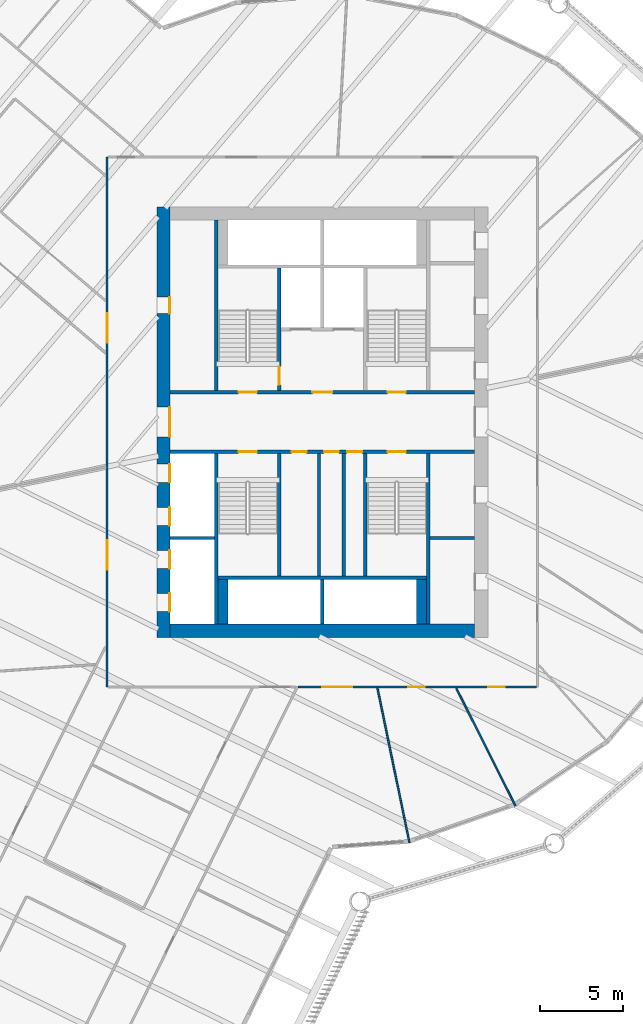
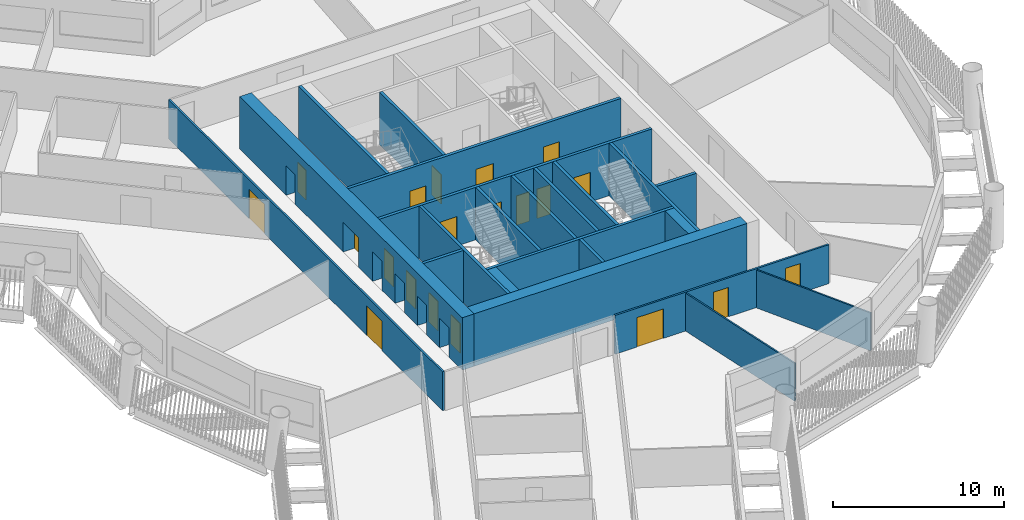
# One storey, part 4 of 16: 22 walls, 20 doors, 20 openings.
"""IFC4 building model written with IfcOpenShell, lengths in metres."""

from ifc_helpers import new_model, si_unit, direction, frame, frame_2d, origin, place, context, subcontext, project, spatial, rectangle, extrude, material, layer, layer_set, type_object, element, fill, save


model = new_model("IFC4")

# Units and contexts
model_context = context("Model", 3, precision=1e-05, world=origin(), true_north=direction((0.0, 1.0)))
body_context = subcontext(model_context, "Body", "Model", "MODEL_VIEW")
ifc_project = project(units=[si_unit("LENGTHUNIT", "METRE"), si_unit("AREAUNIT", "SQUARE_METRE"), si_unit("VOLUMEUNIT", "CUBIC_METRE"), si_unit("PLANEANGLEUNIT", "RADIAN"), si_unit("MASSUNIT", "GRAM", prefix="KILO")], contexts=[model_context])

# Site, building, storey
site_placement = place(None, origin())
site = spatial("IfcSite", under=ifc_project, at=site_placement, CompositionType="ELEMENT")
building_placement = place(site_placement, origin())
building = spatial("IfcBuilding", under=site, at=building_placement, Name="Tarsis Ring Headquarters", CompositionType="ELEMENT")
storey_placement = place(building_placement, frame((0.0, 0.0, 104.5)))
storey = spatial("IfcBuildingStorey", under=building, at=storey_placement, Name="L23", CompositionType="ELEMENT", Elevation=104.5)

# Walls
ifc_material_1 = material(Name="Blockwork", Category="masonry")
ifc_layer_1 = layer(ifc_material_1, 0.199951171875)
ifc_layer_set_1 = layer_set([ifc_layer_1], Name="Core blockwork wall 200")
wall_type_1 = type_object("IfcWallType", Name="Core blockwork wall 200", PredefinedType="PARTITIONING", material=ifc_layer_set_1)
wall_1_placement = place(storey_placement, frame((6.5, -7.0, 0.0), z_axis=(0.0, 0.0, 1.0), x_axis=(1.0, 0.0, 0.0)))
element("IfcWall", 1, at=wall_1_placement, inside=storey, type_object=wall_type_1, Name="Core partition ED2", PredefinedType="PARTITIONING", context=body_context, shape_type="SweptSolid", body=[
    extrude(rectangle(XDim=2.699951171875, YDim=0.199951171875, at=frame_2d((1.35009765625, 0.0))), origin(), (0.0, 0.0, 1.0), 3.739990234375),
])
for number, where, z_axis, x_axis, name in (
    (2, (-0.199951171875, -9.300048828125, 0.0), (0.0, 0.0, 1.0), (0.0, 1.0, 0.0), "Core partition SV1"),
    (3, (1.300048828125, -9.300048828125, 0.0), (0.0, 0.0, 1.0), (0.0, 1.0, 0.0), "Core partition SV2"),
):
    element("IfcWall", number, at=place(storey_placement, frame(where, z_axis=z_axis, x_axis=x_axis)), inside=storey, type_object=wall_type_1, Name=name, PredefinedType="PARTITIONING", context=body_context, shape_type="SweptSolid", body=[
        extrude(rectangle(XDim=7.400146484375, YDim=0.199951171875, at=frame_2d((3.7001953125, 0.0))), origin(), (0.0, 0.0, 1.0), 3.739990234375),
    ])

# Wall, openings, doors
ifc_material_2 = material(Name="Concrete C60/75", Category="concrete")
ifc_layer_2 = layer(ifc_material_2, 0.800048828125)
ifc_layer_set_2 = layer_set([ifc_layer_2], Name="Core wall 800 C60/75")
wall_type_2 = type_object("IfcWallType", Name="Core wall 800 C60/75", PredefinedType="SHEAR", material=ifc_layer_set_2)
wall_2_placement = place(storey_placement, frame((-9.60009765625, -13.0, 0.0), z_axis=(0.0, 0.0, 1.0), x_axis=(0.0, 1.0, 0.0)))
wall_2 = element("IfcWall", 4, at=wall_2_placement, inside=storey, type_object=wall_type_2, Name="Core wall OW", PredefinedType="SHEAR", context=body_context, shape_type="SweptSolid", body=[
    extrude(rectangle(XDim=26.0, YDim=0.800048828125, at=frame_2d((13.0, 0.0))), origin(), (0.0, 0.0, 1.0), 3.739990234375),
])
opening_1_placement = place(wall_2_placement, frame((1.550048828125, 0.0, 0.0)))
opening_1 = element("IfcOpeningElement", 5, at=opening_1_placement, cuts=wall_2, Name="Opening LD-LR1", PredefinedType="OPENING", context=body_context, shape_type="SweptSolid", body=[
    extrude(rectangle(XDim=1.10009765625, YDim=2.10009765625, at=frame_2d((0.550048828125, 1.050048828125))), frame((0.0, 0.409912109375, 0.0), z_axis=(0.0, -1.0, 0.0), x_axis=(1.0, 0.0, 0.0)), (0.0, 0.0, 1.0), 0.820068359375),
])
opening_2_placement = place(wall_2_placement, frame((4.14990234375, 0.0, 0.0)))
opening_2 = element("IfcOpeningElement", 6, at=opening_2_placement, cuts=wall_2, Name="Opening LD-LR2", PredefinedType="OPENING", context=body_context, shape_type="SweptSolid", body=[
    extrude(rectangle(XDim=1.10009765625, YDim=2.10009765625, at=frame_2d((0.550048828125, 1.050048828125))), frame((0.0, 0.409912109375, 0.0), z_axis=(0.0, -1.0, 0.0), x_axis=(1.0, 0.0, 0.0)), (0.0, 0.0, 1.0), 0.820068359375),
])
opening_3_placement = place(wall_2_placement, frame((6.75, 0.0, 0.0)))
opening_3 = element("IfcOpeningElement", 7, at=opening_3_placement, cuts=wall_2, Name="Opening LD-LR3", PredefinedType="OPENING", context=body_context, shape_type="SweptSolid", body=[
    extrude(rectangle(XDim=1.10009765625, YDim=2.10009765625, at=frame_2d((0.550048828125, 1.050048828125))), frame((0.0, 0.409912109375, 0.0), z_axis=(0.0, -1.0, 0.0), x_axis=(1.0, 0.0, 0.0)), (0.0, 0.0, 1.0), 0.820068359375),
])
opening_4_placement = place(wall_2_placement, frame((9.35009765625, 0.0, 0.0)))
opening_4 = element("IfcOpeningElement", 8, at=opening_4_placement, cuts=wall_2, Name="Opening LD-LR4", PredefinedType="OPENING", context=body_context, shape_type="SweptSolid", body=[
    extrude(rectangle(XDim=1.10009765625, YDim=2.10009765625, at=frame_2d((0.550048828125, 1.050048828125))), frame((0.0, 0.409912109375, 0.0), z_axis=(0.0, -1.0, 0.0), x_axis=(1.0, 0.0, 0.0)), (0.0, 0.0, 1.0), 0.820068359375),
])
opening_5_placement = place(wall_2_placement, frame((12.10009765625, 0.0, 0.0)))
opening_5 = element("IfcOpeningElement", 9, at=opening_5_placement, cuts=wall_2, Name="Opening L23-C05", PredefinedType="OPENING", context=body_context, shape_type="SweptSolid", body=[
    extrude(rectangle(XDim=1.800048828125, YDim=2.10009765625, at=frame_2d((0.89990234375, 1.050048828125))), frame((0.0, 0.409912109375, 0.0), z_axis=(0.0, -1.0, 0.0), x_axis=(1.0, 0.0, 0.0)), (0.0, 0.0, 1.0), 0.820068359375),
])
opening_6_placement = place(wall_2_placement, frame((19.550048828125, 0.0, 0.0)))
opening_6 = element("IfcOpeningElement", 10, at=opening_6_placement, cuts=wall_2, Name="Opening L23-C06", PredefinedType="OPENING", context=body_context, shape_type="SweptSolid", body=[
    extrude(rectangle(XDim=1.0, YDim=2.10009765625, at=frame_2d((0.5, 1.050048828125))), frame((0.0, 0.409912109375, 0.0), z_axis=(0.0, -1.0, 0.0), x_axis=(1.0, 0.0, 0.0)), (0.0, 0.0, 1.0), 0.820068359375),
])
ifc_material_3 = material(Name="Steel S355", Category="steel")
door_type_1 = type_object("IfcDoorType", Name="Core entry door 1800x2100", OperationType="DOUBLE_DOOR_SINGLE_SWING", PredefinedType="DOOR", material=ifc_material_3)
door_1_placement = place(opening_5_placement, origin())
door_1 = element("IfcDoor", 11, at=door_1_placement, inside=storey, type_object=door_type_1, Name="Core entry door L23", OperationType="DOUBLE_DOOR_SINGLE_SWING", OverallHeight=2.10009765625, OverallWidth=1.800048828125, PredefinedType="DOOR", context=body_context, shape_type="SweptSolid", body=[
    extrude(rectangle(XDim=1.800048828125, YDim=2.10009765625, at=frame_2d((0.89990234375, 1.050048828125))), frame((0.0, -0.35009765625, 0.0), z_axis=(0.0, -1.0, 0.0), x_axis=(1.0, 0.0, 0.0)), (0.0, 0.0, 1.0), 0.050048828125),
])
fill(opening_5, door_1)
door_type_2 = type_object("IfcDoorType", Name="Core room door 1000x2100", OperationType="SINGLE_SWING_LEFT", PredefinedType="DOOR", material=ifc_material_3)
door_2_placement = place(opening_6_placement, origin())
door_2 = element("IfcDoor", 12, at=door_2_placement, inside=storey, type_object=door_type_2, Name="Core room door L23", OperationType="SINGLE_SWING_LEFT", OverallHeight=2.10009765625, OverallWidth=1.0, PredefinedType="DOOR", context=body_context, shape_type="SweptSolid", body=[
    extrude(rectangle(XDim=1.0, YDim=2.10009765625, at=frame_2d((0.5, 1.050048828125))), frame((0.0, -0.35009765625, 0.0), z_axis=(0.0, -1.0, 0.0), x_axis=(1.0, 0.0, 0.0)), (0.0, 0.0, 1.0), 0.050048828125),
])
fill(opening_6, door_2)
door_type_3 = type_object("IfcDoorType", Name="Landing door 1100x2100", OperationType="SLIDING_TO_LEFT", PredefinedType="DOOR", material=ifc_material_3)
door_3_placement = place(opening_1_placement, origin())
door_3 = element("IfcDoor", 13, at=door_3_placement, inside=storey, type_object=door_type_3, Name="Landing door LR1 L23", OperationType="SLIDING_TO_LEFT", OverallHeight=2.10009765625, OverallWidth=1.10009765625, PredefinedType="DOOR", context=body_context, shape_type="SweptSolid", body=[
    extrude(rectangle(XDim=1.10009765625, YDim=2.10009765625, at=frame_2d((0.550048828125, 1.050048828125))), frame((0.0, -0.35009765625, 0.0), z_axis=(0.0, -1.0, 0.0), x_axis=(1.0, 0.0, 0.0)), (0.0, 0.0, 1.0), 0.050048828125),
])
fill(opening_1, door_3)
door_4_placement = place(opening_2_placement, origin())
door_4 = element("IfcDoor", 14, at=door_4_placement, inside=storey, type_object=door_type_3, Name="Landing door LR2 L23", OperationType="SLIDING_TO_LEFT", OverallHeight=2.10009765625, OverallWidth=1.10009765625, PredefinedType="DOOR", context=body_context, shape_type="SweptSolid", body=[
    extrude(rectangle(XDim=1.10009765625, YDim=2.10009765625, at=frame_2d((0.550048828125, 1.050048828125))), frame((0.0, -0.35009765625, 0.0), z_axis=(0.0, -1.0, 0.0), x_axis=(1.0, 0.0, 0.0)), (0.0, 0.0, 1.0), 0.050048828125),
])
fill(opening_2, door_4)
door_5_placement = place(opening_3_placement, origin())
door_5 = element("IfcDoor", 15, at=door_5_placement, inside=storey, type_object=door_type_3, Name="Landing door LR3 L23", OperationType="SLIDING_TO_LEFT", OverallHeight=2.10009765625, OverallWidth=1.10009765625, PredefinedType="DOOR", context=body_context, shape_type="SweptSolid", body=[
    extrude(rectangle(XDim=1.10009765625, YDim=2.10009765625, at=frame_2d((0.550048828125, 1.050048828125))), frame((0.0, -0.35009765625, 0.0), z_axis=(0.0, -1.0, 0.0), x_axis=(1.0, 0.0, 0.0)), (0.0, 0.0, 1.0), 0.050048828125),
])
fill(opening_3, door_5)
door_6_placement = place(opening_4_placement, origin())
door_6 = element("IfcDoor", 16, at=door_6_placement, inside=storey, type_object=door_type_3, Name="Landing door LR4 L23", OperationType="SLIDING_TO_LEFT", OverallHeight=2.10009765625, OverallWidth=1.10009765625, PredefinedType="DOOR", context=body_context, shape_type="SweptSolid", body=[
    extrude(rectangle(XDim=1.10009765625, YDim=2.10009765625, at=frame_2d((0.550048828125, 1.050048828125))), frame((0.0, -0.35009765625, 0.0), z_axis=(0.0, -1.0, 0.0), x_axis=(1.0, 0.0, 0.0)), (0.0, 0.0, 1.0), 0.050048828125),
])
fill(opening_4, door_6)

# Walls
wall_3_placement = place(storey_placement, frame((-9.199951171875, -12.60009765625, 0.0), z_axis=(0.0, 0.0, 1.0), x_axis=(1.0, 0.0, 0.0)))
element("IfcWall", 17, at=wall_3_placement, inside=storey, type_object=wall_type_2, Name="Core wall OS", PredefinedType="SHEAR", context=body_context, shape_type="SweptSolid", body=[
    extrude(rectangle(XDim=18.39990234375, YDim=0.800048828125, at=frame_2d((9.199951171875, 0.0))), origin(), (0.0, 0.0, 1.0), 3.739990234375),
])
ifc_material_4 = material(Name="Gypsum board on steel studs", Category="steel")
ifc_layer_3 = layer(ifc_material_4, 0.10009765625)
ifc_layer_set_3 = layer_set([ifc_layer_3], Name="FL partition 100 unrated")
wall_type_3 = type_object("IfcWallType", Name="FL partition 100 unrated", PredefinedType="PARTITIONING", material=ifc_layer_set_3)
wall_4_placement = place(storey_placement, frame((3.32763671875, -16.068603515625, 0.0), z_axis=(0.0, 0.0, 1.0), x_axis=(0.202796036941, -0.979221000286, 0.0)))
element("IfcWall", 18, at=wall_4_placement, inside=storey, type_object=wall_type_3, Name="Partition PW3", PredefinedType="PARTITIONING", context=body_context, shape_type="SweptSolid", body=[
    extrude(rectangle(XDim=9.538330078125, YDim=0.10009765625, at=frame_2d((4.76904296875, 0.0))), origin(), (0.0, 0.0, 1.0), 2.699951171875),
])
wall_5_placement = place(storey_placement, frame((8.087646484375, -16.080322265625, 0.0), z_axis=(0.0, 0.0, 1.0), x_axis=(0.449313334658, -0.893374236979, 0.0)))
element("IfcWall", 19, at=wall_5_placement, inside=storey, type_object=wall_type_3, Name="Partition PW3", PredefinedType="PARTITIONING", context=body_context, shape_type="SweptSolid", body=[
    extrude(rectangle(XDim=7.9482421875, YDim=0.10009765625, at=frame_2d((3.97412109375, 0.0))), origin(), (0.0, 0.0, 1.0), 2.699951171875),
])

# Wall, openings, doors
ifc_layer_4 = layer(ifc_material_4, 0.125)
ifc_layer_set_4 = layer_set([ifc_layer_4], Name="FL partition 125 EI 60 H2770")
wall_type_4 = type_object("IfcWallType", Name="FL partition 125 EI 60 H2770", PredefinedType="PARTITIONING", material=ifc_layer_set_4)
wall_6_placement = place(storey_placement, frame((-13.0, -16.0, 0.0), z_axis=(0.0, 0.0, 1.0), x_axis=(0.0, 1.0, 0.0)))
wall_6 = element("IfcWall", 20, at=wall_6_placement, inside=storey, type_object=wall_type_4, Name="Partition PW1", PredefinedType="PARTITIONING", context=body_context, shape_type="SweptSolid", body=[
    extrude(rectangle(XDim=32.0, YDim=0.125, at=frame_2d((16.0, 0.0))), origin(), (0.0, 0.0, 1.0), 2.77001953125),
])
opening_7_placement = place(wall_6_placement, frame((7.068359375, 0.0, 0.0)))
opening_7 = element("IfcOpeningElement", 21, at=opening_7_placement, cuts=wall_6, Name="Opening D23.15", PredefinedType="OPENING", context=body_context, shape_type="SweptSolid", body=[
    extrude(rectangle(XDim=1.800048828125, YDim=2.10009765625, at=frame_2d((0.89990234375, 1.050048828125))), frame((0.0, 0.072509765625, 0.0), z_axis=(0.0, -1.0, 0.0), x_axis=(1.0, 0.0, 0.0)), (0.0, 0.0, 1.0), 0.14501953125),
])
opening_8_placement = place(wall_6_placement, frame((20.775146484375, 0.0, 0.0)))
opening_8 = element("IfcOpeningElement", 22, at=opening_8_placement, cuts=wall_6, Name="Opening D23.24", PredefinedType="OPENING", context=body_context, shape_type="SweptSolid", body=[
    extrude(rectangle(XDim=1.800048828125, YDim=2.10009765625, at=frame_2d((0.89990234375, 1.050048828125))), frame((0.0, 0.072509765625, 0.0), z_axis=(0.0, -1.0, 0.0), x_axis=(1.0, 0.0, 0.0)), (0.0, 0.0, 1.0), 0.14501953125),
])
ifc_material_5 = material(Name="Fire-rated timber door leaf in steel frame", Category="steel")
door_type_4 = type_object("IfcDoorType", Name="FL door FD60-1800", OperationType="DOUBLE_DOOR_SINGLE_SWING", PredefinedType="DOOR", material=ifc_material_5)
door_7_placement = place(opening_7_placement, origin())
door_7 = element("IfcDoor", 23, at=door_7_placement, inside=storey, type_object=door_type_4, Name="Door D23.15", OperationType="DOUBLE_DOOR_SINGLE_SWING", OverallHeight=2.10009765625, OverallWidth=1.800048828125, PredefinedType="DOOR", context=body_context, shape_type="SweptSolid", body=[
    extrude(rectangle(XDim=1.800048828125, YDim=2.10009765625, at=frame_2d((0.89990234375, 1.050048828125))), frame((0.0, 0.02490234375, 0.0), z_axis=(0.0, -1.0, 0.0), x_axis=(1.0, 0.0, 0.0)), (0.0, 0.0, 1.0), 0.050048828125),
])
fill(opening_7, door_7)
door_8_placement = place(opening_8_placement, origin())
door_8 = element("IfcDoor", 24, at=door_8_placement, inside=storey, type_object=door_type_4, Name="Door D23.24", OperationType="DOUBLE_DOOR_SINGLE_SWING", OverallHeight=2.10009765625, OverallWidth=1.800048828125, PredefinedType="DOOR", context=body_context, shape_type="SweptSolid", body=[
    extrude(rectangle(XDim=1.800048828125, YDim=2.10009765625, at=frame_2d((0.89990234375, 1.050048828125))), frame((0.0, 0.02490234375, 0.0), z_axis=(0.0, -1.0, 0.0), x_axis=(1.0, 0.0, 0.0)), (0.0, 0.0, 1.0), 0.050048828125),
])
fill(opening_8, door_8)

wall_7_placement = place(storey_placement, frame((-1.4599609375, -16.0, 0.0), z_axis=(0.0, 0.0, 1.0), x_axis=(1.0, 0.0, 0.0)))
wall_7 = element("IfcWall", 25, at=wall_7_placement, inside=storey, type_object=wall_type_4, Name="Partition PW1", PredefinedType="PARTITIONING", context=body_context, shape_type="SweptSolid", body=[
    extrude(rectangle(XDim=14.39990234375, YDim=0.125, at=frame_2d((7.199951171875, 0.0))), origin(), (0.0, 0.0, 1.0), 2.77001953125),
])
opening_9_placement = place(wall_7_placement, frame((11.483642578125, 0.0, 0.0)))
opening_9 = element("IfcOpeningElement", 26, at=opening_9_placement, cuts=wall_7, Name="Opening D23.09", PredefinedType="OPENING", context=body_context, shape_type="SweptSolid", body=[
    extrude(rectangle(XDim=1.0, YDim=2.10009765625, at=frame_2d((0.5, 1.050048828125))), frame((0.0, 0.072509765625, 0.0), z_axis=(0.0, -1.0, 0.0), x_axis=(1.0, 0.0, 0.0)), (0.0, 0.0, 1.0), 0.14501953125),
])
opening_10_placement = place(wall_7_placement, frame((6.640380859375, 0.0, 0.0)))
opening_10 = element("IfcOpeningElement", 27, at=opening_10_placement, cuts=wall_7, Name="Opening D23.10", PredefinedType="OPENING", context=body_context, shape_type="SweptSolid", body=[
    extrude(rectangle(XDim=1.0, YDim=2.10009765625, at=frame_2d((0.5, 1.050048828125))), frame((0.0, 0.072509765625, 0.0), z_axis=(0.0, -1.0, 0.0), x_axis=(1.0, 0.0, 0.0)), (0.0, 0.0, 1.0), 0.14501953125),
])
opening_11_placement = place(wall_7_placement, frame((1.458740234375, 0.0, 0.0)))
opening_11 = element("IfcOpeningElement", 28, at=opening_11_placement, cuts=wall_7, Name="Opening D23.11", PredefinedType="OPENING", context=body_context, shape_type="SweptSolid", body=[
    extrude(rectangle(XDim=1.800048828125, YDim=2.10009765625, at=frame_2d((0.89990234375, 1.050048828125))), frame((0.0, 0.072509765625, 0.0), z_axis=(0.0, -1.0, 0.0), x_axis=(1.0, 0.0, 0.0)), (0.0, 0.0, 1.0), 0.14501953125),
])
door_type_5 = type_object("IfcDoorType", Name="FL door FD60-1000", OperationType="NOTDEFINED", PredefinedType="DOOR", material=ifc_material_5)
door_9_placement = place(opening_9_placement, origin())
door_9 = element("IfcDoor", 29, at=door_9_placement, inside=storey, type_object=door_type_5, Name="Door D23.09", OperationType="SINGLE_SWING_RIGHT", OverallHeight=2.10009765625, OverallWidth=1.0, PredefinedType="DOOR", context=body_context, shape_type="SweptSolid", body=[
    extrude(rectangle(XDim=1.0, YDim=2.10009765625, at=frame_2d((0.5, 1.050048828125))), frame((0.0, 0.02490234375, 0.0), z_axis=(0.0, -1.0, 0.0), x_axis=(1.0, 0.0, 0.0)), (0.0, 0.0, 1.0), 0.050048828125),
])
fill(opening_9, door_9)
door_10_placement = place(opening_10_placement, origin())
door_10 = element("IfcDoor", 30, at=door_10_placement, inside=storey, type_object=door_type_5, Name="Door D23.10", OperationType="SINGLE_SWING_LEFT", OverallHeight=2.10009765625, OverallWidth=1.0, PredefinedType="DOOR", context=body_context, shape_type="SweptSolid", body=[
    extrude(rectangle(XDim=1.0, YDim=2.10009765625, at=frame_2d((0.5, 1.050048828125))), frame((0.0, 0.02490234375, 0.0), z_axis=(0.0, -1.0, 0.0), x_axis=(1.0, 0.0, 0.0)), (0.0, 0.0, 1.0), 0.050048828125),
])
fill(opening_10, door_10)
door_11_placement = place(opening_11_placement, origin())
door_11 = element("IfcDoor", 31, at=door_11_placement, inside=storey, type_object=door_type_4, Name="Door D23.11", OperationType="DOUBLE_DOOR_SINGLE_SWING", OverallHeight=2.10009765625, OverallWidth=1.800048828125, PredefinedType="DOOR", context=body_context, shape_type="SweptSolid", body=[
    extrude(rectangle(XDim=1.800048828125, YDim=2.10009765625, at=frame_2d((0.89990234375, 1.050048828125))), frame((0.0, 0.02490234375, 0.0), z_axis=(0.0, -1.0, 0.0), x_axis=(1.0, 0.0, 0.0)), (0.0, 0.0, 1.0), 0.050048828125),
])
fill(opening_11, door_11)

# Walls
ifc_material_6 = material(Name="Concrete C32/40", Category="concrete")
ifc_layer_5 = layer(ifc_material_6, 0.60009765625)
ifc_layer_set_5 = layer_set([ifc_layer_5], Name="Shaft end wall 600 C32/40")
wall_type_5 = type_object("IfcWallType", Name="Shaft end wall 600 C32/40", PredefinedType="SOLIDWALL", material=ifc_layer_set_5)
for number, where, z_axis, x_axis, name in (
    (32, (-6.0, -12.199951171875, 0.0), (0.0, 0.0, 1.0), (0.0, 1.0, 0.0), "Core shaft wall SNE1"),
    (33, (6.0, -12.199951171875, 0.0), (0.0, 0.0, 1.0), (0.0, 1.0, 0.0), "Core shaft wall SNE2"),
):
    element("IfcWall", number, at=place(storey_placement, frame(where, z_axis=z_axis, x_axis=x_axis)), inside=storey, type_object=wall_type_5, Name=name, PredefinedType="SOLIDWALL", context=body_context, shape_type="SweptSolid", body=[
        extrude(rectangle(XDim=2.699951171875, YDim=0.60009765625, at=frame_2d((1.35009765625, 0.0))), origin(), (0.0, 0.0, 1.0), 3.739990234375),
    ])

# Wall, openings, doors
ifc_layer_6 = layer(ifc_material_6, 0.199951171875)
ifc_layer_set_6 = layer_set([ifc_layer_6], Name="Shaft wall 200 C32/40")
wall_type_6 = type_object("IfcWallType", Name="Shaft wall 200 C32/40", PredefinedType="SOLIDWALL", material=ifc_layer_set_6)
wall_8_placement = place(storey_placement, frame((-9.199951171875, 1.800048828125, 0.0), z_axis=(0.0, 0.0, 1.0), x_axis=(1.0, 0.0, 0.0)))
wall_8 = element("IfcWall", 34, at=wall_8_placement, inside=storey, type_object=wall_type_6, Name="Core shaft wall CN", PredefinedType="SOLIDWALL", context=body_context, shape_type="SweptSolid", body=[
    extrude(rectangle(XDim=18.39990234375, YDim=0.199951171875, at=frame_2d((9.199951171875, 0.0))), origin(), (0.0, 0.0, 1.0), 3.739990234375),
])
opening_12_placement = place(wall_8_placement, frame((4.14990234375, 0.0, 0.0)))
opening_12 = element("IfcOpeningElement", 35, at=opening_12_placement, cuts=wall_8, Name="Opening L23-C13", PredefinedType="OPENING", context=body_context, shape_type="SweptSolid", body=[
    extrude(rectangle(XDim=1.10009765625, YDim=2.10009765625, at=frame_2d((0.550048828125, 1.050048828125))), frame((0.0, 0.10986328125, 0.0), z_axis=(0.0, -1.0, 0.0), x_axis=(1.0, 0.0, 0.0)), (0.0, 0.0, 1.0), 0.219970703125),
])
opening_13_placement = place(wall_8_placement, frame((8.60009765625, 0.0, 0.0)))
opening_13 = element("IfcOpeningElement", 36, at=opening_13_placement, cuts=wall_8, Name="Opening L23-C14", PredefinedType="OPENING", context=body_context, shape_type="SweptSolid", body=[
    extrude(rectangle(XDim=1.199951171875, YDim=2.10009765625, at=frame_2d((0.60009765625, 1.050048828125))), frame((0.0, 0.10986328125, 0.0), z_axis=(0.0, -1.0, 0.0), x_axis=(1.0, 0.0, 0.0)), (0.0, 0.0, 1.0), 0.219970703125),
])
opening_14_placement = place(wall_8_placement, frame((13.14990234375, 0.0, 0.0)))
opening_14 = element("IfcOpeningElement", 37, at=opening_14_placement, cuts=wall_8, Name="Opening L23-C15", PredefinedType="OPENING", context=body_context, shape_type="SweptSolid", body=[
    extrude(rectangle(XDim=1.10009765625, YDim=2.10009765625, at=frame_2d((0.550048828125, 1.050048828125))), frame((0.0, 0.10986328125, 0.0), z_axis=(0.0, -1.0, 0.0), x_axis=(1.0, 0.0, 0.0)), (0.0, 0.0, 1.0), 0.219970703125),
])
door_type_6 = type_object("IfcDoorType", Name="Firefighting lobby door 1200x2100", OperationType="DOUBLE_DOOR_SINGLE_SWING", PredefinedType="DOOR", material=ifc_material_3)
door_12_placement = place(opening_13_placement, origin())
door_12 = element("IfcDoor", 38, at=door_12_placement, inside=storey, type_object=door_type_6, Name="Firefighting lobby door L23", OperationType="DOUBLE_DOOR_SINGLE_SWING", OverallHeight=2.10009765625, OverallWidth=1.199951171875, PredefinedType="DOOR", context=body_context, shape_type="SweptSolid", body=[
    extrude(rectangle(XDim=1.199951171875, YDim=2.10009765625, at=frame_2d((0.60009765625, 1.050048828125))), frame((0.0, 0.02490234375, 0.0), z_axis=(0.0, -1.0, 0.0), x_axis=(1.0, 0.0, 0.0)), (0.0, 0.0, 1.0), 0.050048828125),
])
fill(opening_13, door_12)
door_type_7 = type_object("IfcDoorType", Name="Stair door 1100x2100", OperationType="SINGLE_SWING_LEFT", PredefinedType="DOOR", material=ifc_material_3)
door_13_placement = place(opening_12_placement, origin())
door_13 = element("IfcDoor", 39, at=door_13_placement, inside=storey, type_object=door_type_7, Name="Stair door L23", OperationType="SINGLE_SWING_LEFT", OverallHeight=2.10009765625, OverallWidth=1.10009765625, PredefinedType="DOOR", context=body_context, shape_type="SweptSolid", body=[
    extrude(rectangle(XDim=1.10009765625, YDim=2.10009765625, at=frame_2d((0.550048828125, 1.050048828125))), frame((0.0, 0.02490234375, 0.0), z_axis=(0.0, -1.0, 0.0), x_axis=(1.0, 0.0, 0.0)), (0.0, 0.0, 1.0), 0.050048828125),
])
fill(opening_12, door_13)
door_14_placement = place(opening_14_placement, origin())
door_14 = element("IfcDoor", 40, at=door_14_placement, inside=storey, type_object=door_type_7, Name="Stair door L23", OperationType="SINGLE_SWING_LEFT", OverallHeight=2.10009765625, OverallWidth=1.10009765625, PredefinedType="DOOR", context=body_context, shape_type="SweptSolid", body=[
    extrude(rectangle(XDim=1.10009765625, YDim=2.10009765625, at=frame_2d((0.550048828125, 1.050048828125))), frame((0.0, 0.02490234375, 0.0), z_axis=(0.0, -1.0, 0.0), x_axis=(1.0, 0.0, 0.0)), (0.0, 0.0, 1.0), 0.050048828125),
])
fill(opening_14, door_14)

wall_9_placement = place(storey_placement, frame((-9.199951171875, -1.800048828125, 0.0), z_axis=(0.0, 0.0, 1.0), x_axis=(1.0, 0.0, 0.0)))
wall_9 = element("IfcWall", 41, at=wall_9_placement, inside=storey, type_object=wall_type_6, Name="Core shaft wall CS", PredefinedType="SOLIDWALL", context=body_context, shape_type="SweptSolid", body=[
    extrude(rectangle(XDim=18.39990234375, YDim=0.199951171875, at=frame_2d((9.199951171875, 0.0))), origin(), (0.0, 0.0, 1.0), 3.739990234375),
])
opening_15_placement = place(wall_9_placement, frame((4.14990234375, 0.0, 0.0)))
opening_15 = element("IfcOpeningElement", 42, at=opening_15_placement, cuts=wall_9, Name="Opening L23-C16", PredefinedType="OPENING", context=body_context, shape_type="SweptSolid", body=[
    extrude(rectangle(XDim=1.10009765625, YDim=2.10009765625, at=frame_2d((0.550048828125, 1.050048828125))), frame((0.0, 0.10986328125, 0.0), z_axis=(0.0, -1.0, 0.0), x_axis=(1.0, 0.0, 0.0)), (0.0, 0.0, 1.0), 0.219970703125),
])
opening_16_placement = place(wall_9_placement, frame((7.35009765625, 0.0, 0.0)))
opening_16 = element("IfcOpeningElement", 43, at=opening_16_placement, cuts=wall_9, Name="Opening L23-C17", PredefinedType="OPENING", context=body_context, shape_type="SweptSolid", body=[
    extrude(rectangle(XDim=0.89990234375, YDim=2.10009765625, at=frame_2d((0.449951171875, 1.050048828125))), frame((0.0, 0.10986328125, 0.0), z_axis=(0.0, -1.0, 0.0), x_axis=(1.0, 0.0, 0.0)), (0.0, 0.0, 1.0), 0.219970703125),
])
opening_17_placement = place(wall_9_placement, frame((9.300048828125, 0.0, 0.0)))
opening_17 = element("IfcOpeningElement", 44, at=opening_17_placement, cuts=wall_9, Name="Opening L23-C18", PredefinedType="OPENING", context=body_context, shape_type="SweptSolid", body=[
    extrude(rectangle(XDim=0.89990234375, YDim=2.10009765625, at=frame_2d((0.449951171875, 1.050048828125))), frame((0.0, 0.10986328125, 0.0), z_axis=(0.0, -1.0, 0.0), x_axis=(1.0, 0.0, 0.0)), (0.0, 0.0, 1.0), 0.219970703125),
])
opening_18_placement = place(wall_9_placement, frame((10.699951171875, 0.0, 0.0)))
opening_18 = element("IfcOpeningElement", 45, at=opening_18_placement, cuts=wall_9, Name="Opening L23-C19", PredefinedType="OPENING", context=body_context, shape_type="SweptSolid", body=[
    extrude(rectangle(XDim=0.89990234375, YDim=2.10009765625, at=frame_2d((0.449951171875, 1.050048828125))), frame((0.0, 0.10986328125, 0.0), z_axis=(0.0, -1.0, 0.0), x_axis=(1.0, 0.0, 0.0)), (0.0, 0.0, 1.0), 0.219970703125),
])
opening_19_placement = place(wall_9_placement, frame((13.14990234375, 0.0, 0.0)))
opening_19 = element("IfcOpeningElement", 46, at=opening_19_placement, cuts=wall_9, Name="Opening L23-C20", PredefinedType="OPENING", context=body_context, shape_type="SweptSolid", body=[
    extrude(rectangle(XDim=1.10009765625, YDim=2.10009765625, at=frame_2d((0.550048828125, 1.050048828125))), frame((0.0, 0.10986328125, 0.0), z_axis=(0.0, -1.0, 0.0), x_axis=(1.0, 0.0, 0.0)), (0.0, 0.0, 1.0), 0.219970703125),
])
door_15_placement = place(opening_15_placement, origin())
door_15 = element("IfcDoor", 47, at=door_15_placement, inside=storey, type_object=door_type_7, Name="Stair door L23", OperationType="SINGLE_SWING_LEFT", OverallHeight=2.10009765625, OverallWidth=1.10009765625, PredefinedType="DOOR", context=body_context, shape_type="SweptSolid", body=[
    extrude(rectangle(XDim=1.10009765625, YDim=2.10009765625, at=frame_2d((0.550048828125, 1.050048828125))), frame((0.0, 0.02490234375, 0.0), z_axis=(0.0, -1.0, 0.0), x_axis=(1.0, 0.0, 0.0)), (0.0, 0.0, 1.0), 0.050048828125),
])
fill(opening_15, door_15)
door_16_placement = place(opening_19_placement, origin())
door_16 = element("IfcDoor", 48, at=door_16_placement, inside=storey, type_object=door_type_7, Name="Stair door L23", OperationType="SINGLE_SWING_LEFT", OverallHeight=2.10009765625, OverallWidth=1.10009765625, PredefinedType="DOOR", context=body_context, shape_type="SweptSolid", body=[
    extrude(rectangle(XDim=1.10009765625, YDim=2.10009765625, at=frame_2d((0.550048828125, 1.050048828125))), frame((0.0, 0.02490234375, 0.0), z_axis=(0.0, -1.0, 0.0), x_axis=(1.0, 0.0, 0.0)), (0.0, 0.0, 1.0), 0.050048828125),
])
fill(opening_19, door_16)
door_type_8 = type_object("IfcDoorType", Name="WC door 900x2100", OperationType="SINGLE_SWING_LEFT", PredefinedType="DOOR", material=ifc_material_3)
door_17_placement = place(opening_16_placement, origin())
door_17 = element("IfcDoor", 49, at=door_17_placement, inside=storey, type_object=door_type_8, Name="WC door L23", OperationType="SINGLE_SWING_LEFT", OverallHeight=2.10009765625, OverallWidth=0.89990234375, PredefinedType="DOOR", context=body_context, shape_type="SweptSolid", body=[
    extrude(rectangle(XDim=0.89990234375, YDim=2.10009765625, at=frame_2d((0.449951171875, 1.050048828125))), frame((0.0, 0.02490234375, 0.0), z_axis=(0.0, -1.0, 0.0), x_axis=(1.0, 0.0, 0.0)), (0.0, 0.0, 1.0), 0.050048828125),
])
fill(opening_16, door_17)
door_18_placement = place(opening_17_placement, origin())
door_18 = element("IfcDoor", 50, at=door_18_placement, inside=storey, type_object=door_type_8, Name="WC door L23", OperationType="SINGLE_SWING_LEFT", OverallHeight=2.10009765625, OverallWidth=0.89990234375, PredefinedType="DOOR", context=body_context, shape_type="SweptSolid", body=[
    extrude(rectangle(XDim=0.89990234375, YDim=2.10009765625, at=frame_2d((0.449951171875, 1.050048828125))), frame((0.0, 0.02490234375, 0.0), z_axis=(0.0, -1.0, 0.0), x_axis=(1.0, 0.0, 0.0)), (0.0, 0.0, 1.0), 0.050048828125),
])
fill(opening_17, door_18)
door_19_placement = place(opening_18_placement, origin())
door_19 = element("IfcDoor", 51, at=door_19_placement, inside=storey, type_object=door_type_8, Name="WC door L23", OperationType="SINGLE_SWING_LEFT", OverallHeight=2.10009765625, OverallWidth=0.89990234375, PredefinedType="DOOR", context=body_context, shape_type="SweptSolid", body=[
    extrude(rectangle(XDim=0.89990234375, YDim=2.10009765625, at=frame_2d((0.449951171875, 1.050048828125))), frame((0.0, 0.02490234375, 0.0), z_axis=(0.0, -1.0, 0.0), x_axis=(1.0, 0.0, 0.0)), (0.0, 0.0, 1.0), 0.050048828125),
])
fill(opening_18, door_19)

# Walls
for number, where, z_axis, x_axis, name in (
    (52, (-6.39990234375, -12.199951171875, 0.0), (0.0, 0.0, 1.0), (0.0, 1.0, 0.0), "Core shaft wall WB1"),
    (53, (-6.39990234375, 1.89990234375, 0.0), (0.0, 0.0, 1.0), (0.0, 1.0, 0.0), "Core shaft wall WB2"),
    (54, (6.39990234375, -12.199951171875, 0.0), (0.0, 0.0, 1.0), (0.0, 1.0, 0.0), "Core shaft wall EB1"),
):
    element("IfcWall", number, at=place(storey_placement, frame(where, z_axis=z_axis, x_axis=x_axis)), inside=storey, type_object=wall_type_6, Name=name, PredefinedType="SOLIDWALL", context=body_context, shape_type="SweptSolid", body=[
        extrude(rectangle(XDim=10.300048828125, YDim=0.199951171875, at=frame_2d((5.14990234375, 0.0))), origin(), (0.0, 0.0, 1.0), 3.739990234375),
    ])
wall_10_placement = place(storey_placement, frame((-6.300048828125, -9.39990234375, 0.0), z_axis=(0.0, 0.0, 1.0), x_axis=(1.0, 0.0, 0.0)))
element("IfcWall", 55, at=wall_10_placement, inside=storey, type_object=wall_type_6, Name="Core shaft wall SB", PredefinedType="SOLIDWALL", context=body_context, shape_type="SweptSolid", body=[
    extrude(rectangle(XDim=12.60009765625, YDim=0.199951171875, at=frame_2d((6.300048828125, 0.0))), origin(), (0.0, 0.0, 1.0), 3.739990234375),
])

# Wall, opening, door
wall_11_placement = place(storey_placement, frame((-2.60009765625, 1.89990234375, 0.0), z_axis=(0.0, 0.0, 1.0), x_axis=(0.0, 1.0, 0.0)))
wall_11 = element("IfcWall", 56, at=wall_11_placement, inside=storey, type_object=wall_type_6, Name="Core shaft wall SW1", PredefinedType="SOLIDWALL", context=body_context, shape_type="SweptSolid", body=[
    extrude(rectangle(XDim=7.400146484375, YDim=0.199951171875, at=frame_2d((3.7001953125, 0.0))), origin(), (0.0, 0.0, 1.0), 3.739990234375),
])
opening_20_placement = place(wall_11_placement, frame((0.35009765625, 0.0, 0.0)))
opening_20 = element("IfcOpeningElement", 57, at=opening_20_placement, cuts=wall_11, Name="Opening L23-C21", PredefinedType="OPENING", context=body_context, shape_type="SweptSolid", body=[
    extrude(rectangle(XDim=1.10009765625, YDim=2.10009765625, at=frame_2d((0.550048828125, 1.050048828125))), frame((0.0, 0.10986328125, 0.0), z_axis=(0.0, -1.0, 0.0), x_axis=(1.0, 0.0, 0.0)), (0.0, 0.0, 1.0), 0.219970703125),
])
door_20_placement = place(opening_20_placement, origin())
door_20 = element("IfcDoor", 58, at=door_20_placement, inside=storey, type_object=door_type_7, Name="Stair door L23", OperationType="SINGLE_SWING_LEFT", OverallHeight=2.10009765625, OverallWidth=1.10009765625, PredefinedType="DOOR", context=body_context, shape_type="SweptSolid", body=[
    extrude(rectangle(XDim=1.10009765625, YDim=2.10009765625, at=frame_2d((0.550048828125, 1.050048828125))), frame((0.0, 0.02490234375, 0.0), z_axis=(0.0, -1.0, 0.0), x_axis=(1.0, 0.0, 0.0)), (0.0, 0.0, 1.0), 0.050048828125),
])
fill(opening_20, door_20)

# Walls
for number, where, z_axis, x_axis, name in (
    (59, (-2.60009765625, -9.300048828125, 0.0), (0.0, 0.0, 1.0), (0.0, 1.0, 0.0), "Core shaft wall SW3"),
    (60, (2.60009765625, -9.300048828125, 0.0), (0.0, 0.0, 1.0), (0.0, 1.0, 0.0), "Core shaft wall SW4"),
):
    element("IfcWall", number, at=place(storey_placement, frame(where, z_axis=z_axis, x_axis=x_axis)), inside=storey, type_object=wall_type_6, Name=name, PredefinedType="SOLIDWALL", context=body_context, shape_type="SweptSolid", body=[
        extrude(rectangle(XDim=7.400146484375, YDim=0.199951171875, at=frame_2d((3.7001953125, 0.0))), origin(), (0.0, 0.0, 1.0), 3.739990234375),
    ])
for number, where, z_axis, x_axis, name in (
    (61, (-9.199951171875, -7.0, 0.0), (0.0, 0.0, 1.0), (1.0, 0.0, 0.0), "Core shaft wall WD2"),
    (62, (0.0, -12.199951171875, 0.0), (0.0, 0.0, 1.0), (0.0, 1.0, 0.0), "Core shaft wall SD2"),
):
    element("IfcWall", number, at=place(storey_placement, frame(where, z_axis=z_axis, x_axis=x_axis)), inside=storey, type_object=wall_type_6, Name=name, PredefinedType="SOLIDWALL", context=body_context, shape_type="SweptSolid", body=[
        extrude(rectangle(XDim=2.699951171875, YDim=0.199951171875, at=frame_2d((1.35009765625, 0.0))), origin(), (0.0, 0.0, 1.0), 3.739990234375),
    ])

save(model, "model.ifc")
